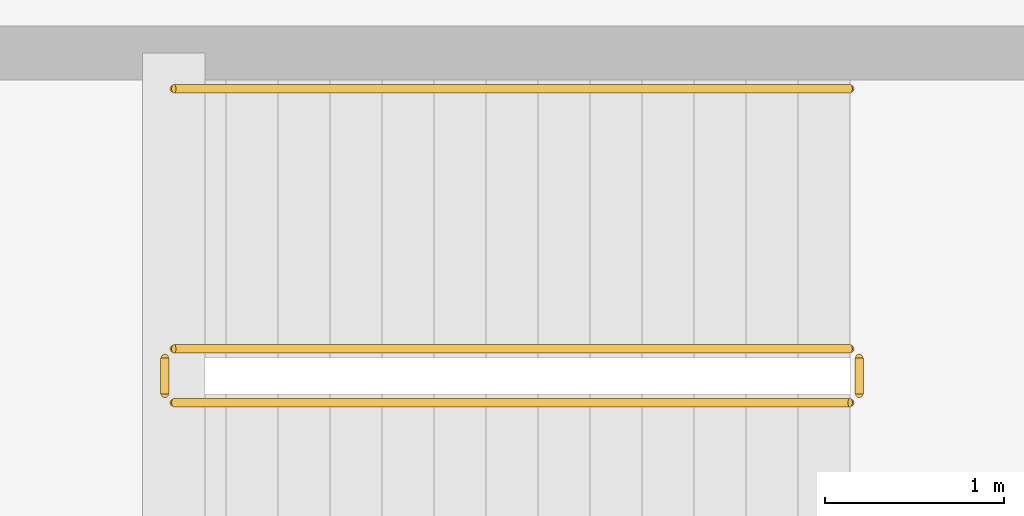
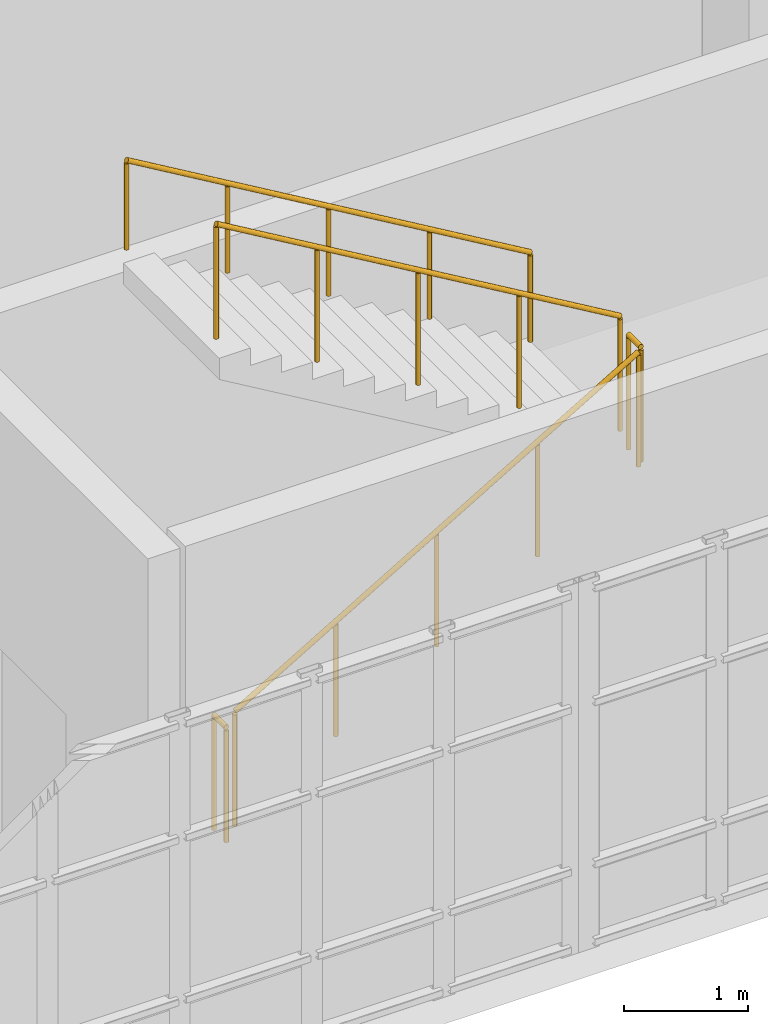
# One storey, part 104 of 106: 5 railings.
"""IFC4 building model written with IfcOpenShell, lengths in metres."""

from ifc_helpers import new_model, si_unit, direction, frame, origin, origin_2d, place, context, subcontext, project, spatial, circle, extrude, material, type_object, element, save


model = new_model("IFC4")

# Units and contexts
model_context = context("Model", 3, precision=1e-05, world=origin(), true_north=direction((0.0, 1.0)))
body_context = subcontext(model_context, "Body", "Model", "MODEL_VIEW")
ifc_project = project(units=[si_unit("LENGTHUNIT", "METRE"), si_unit("AREAUNIT", "SQUARE_METRE"), si_unit("VOLUMEUNIT", "CUBIC_METRE"), si_unit("PLANEANGLEUNIT", "RADIAN"), si_unit("MASSUNIT", "GRAM", prefix="KILO")], contexts=[model_context])

# Site, building, storey
site_placement = place(None, origin())
site = spatial("IfcSite", under=ifc_project, at=site_placement, CompositionType="ELEMENT")
building_placement = place(site_placement, origin())
building = spatial("IfcBuilding", under=site, at=building_placement, Name="Kisaragi Civic Commons", CompositionType="ELEMENT")
storey_placement = place(building_placement, frame((0.0, 0.0, 4.800048828125)))
storey = spatial("IfcBuildingStorey", under=building, at=storey_placement, Name="L01", CompositionType="ELEMENT", Elevation=4.800048828125)

# Railings
ifc_material = material(Name="Powder-coated architectural steel and hinoki cap rail", Category="steel")
railing_type_1 = type_object("IfcRailingType", Name="GRD-S1", PredefinedType="GUARDRAIL", material=ifc_material)
railing_1_placement = place(storey_placement, frame((164.550048828125, 2.699951171875, 0.17138671875)))
element("IfcRailing", 1, at=railing_1_placement, inside=storey, type_object=railing_type_1, Name="L01 ST-D2 stair guard 1", PredefinedType="GUARDRAIL", context=body_context, shape_type="SweptSolid", body=[
    extrude(circle(Radius=0.02392578125, at=origin_2d()), frame((0.0, 0.0, 1.1259765625), z_axis=(0.860848830602, 0.0, 0.508860777473), x_axis=(0.0, 1.0, 0.0)), (0.0, 0.0, 1.0), 4.37939453125),
    extrude(circle(Radius=0.02099609375, at=origin_2d()), origin(), (0.0, 0.0, 1.0), 1.101806640625),
    extrude(circle(Radius=0.02099609375, at=origin_2d()), frame((0.9423828125, 0.0, 0.55712890625)), (0.0, 0.0, 1.0), 1.101806640625),
    extrude(circle(Radius=0.02099609375, at=origin_2d()), frame((1.885009765625, 0.0, 1.1142578125)), (0.0, 0.0, 1.0), 1.101806640625),
    extrude(circle(Radius=0.02099609375, at=origin_2d()), frame((2.82763671875, 0.0, 1.67138671875)), (0.0, 0.0, 1.0), 1.101806640625),
    extrude(circle(Radius=0.02099609375, at=origin_2d()), frame((3.77001953125, 0.0, 2.228515625)), (0.0, 0.0, 1.0), 1.101806640625),
])
railing_2_placement = place(storey_placement, frame((168.3701171875, 2.75, 2.39990234375)))
element("IfcRailing", 2, at=railing_2_placement, inside=storey, type_object=railing_type_1, Name="L01 ST-D2 stair guard 2", PredefinedType="GUARDRAIL", context=body_context, shape_type="SweptSolid", body=[
    extrude(circle(Radius=0.02392578125, at=origin_2d()), frame((0.0, 0.0, 1.1259765625), z_axis=(0.0, 1.0, 0.0), x_axis=(-1.0, 0.0, 0.0)), (0.0, 0.0, 1.0), 0.199951171875),
    extrude(circle(Radius=0.02099609375, at=origin_2d()), origin(), (0.0, 0.0, 1.0), 1.101806640625),
    extrude(circle(Radius=0.02099609375, at=origin_2d()), frame((0.0, 0.199951171875, 0.0)), (0.0, 0.0, 1.0), 1.101806640625),
])
railing_3_placement = place(storey_placement, frame((168.320068359375, 3.0, 2.5712890625)))
element("IfcRailing", 3, at=railing_3_placement, inside=storey, type_object=railing_type_1, Name="L01 ST-D2 stair guard 3", PredefinedType="GUARDRAIL", context=body_context, shape_type="SweptSolid", body=[
    extrude(circle(Radius=0.02392578125, at=origin_2d()), frame((0.0, 0.0, 1.1259765625), z_axis=(-0.860824410104, 0.0, 0.508902087802), x_axis=(0.0, -1.0, 0.0)), (0.0, 0.0, 1.0), 4.379638671875),
    extrude(circle(Radius=0.02099609375, at=origin_2d()), origin(), (0.0, 0.0, 1.0), 1.101806640625),
    extrude(circle(Radius=0.02099609375, at=origin_2d()), frame((-0.9423828125, 0.0, 0.55712890625)), (0.0, 0.0, 1.0), 1.101806640625),
    extrude(circle(Radius=0.02099609375, at=origin_2d()), frame((-1.885009765625, 0.0, 1.1142578125)), (0.0, 0.0, 1.0), 1.101806640625),
    extrude(circle(Radius=0.02099609375, at=origin_2d()), frame((-2.82763671875, 0.0, 1.671630859375)), (0.0, 0.0, 1.0), 1.101806640625),
    extrude(circle(Radius=0.02099609375, at=origin_2d()), frame((-3.77001953125, 0.0, 2.228759765625)), (0.0, 0.0, 1.0), 1.101806640625),
])
railing_4_placement = place(storey_placement, frame((164.5, 2.75, 0.0)))
element("IfcRailing", 4, at=railing_4_placement, inside=storey, type_object=railing_type_1, Name="L01 ST-D2 stair guard 4", PredefinedType="GUARDRAIL", context=body_context, shape_type="SweptSolid", body=[
    extrude(circle(Radius=0.02392578125, at=origin_2d()), frame((0.0, 0.0, 1.1259765625), z_axis=(0.0, 1.0, 0.0), x_axis=(-1.0, 0.0, 0.0)), (0.0, 0.0, 1.0), 0.199951171875),
    extrude(circle(Radius=0.02099609375, at=origin_2d()), origin(), (0.0, 0.0, 1.0), 1.101806640625),
    extrude(circle(Radius=0.02099609375, at=origin_2d()), frame((0.0, 0.199951171875, 0.0)), (0.0, 0.0, 1.0), 1.101806640625),
])
railing_type_2 = type_object("IfcRailingType", Name="HRL-01", PredefinedType="HANDRAIL", material=ifc_material)
railing_5_placement = place(storey_placement, frame((168.320068359375, 4.449951171875, 2.5712890625)))
element("IfcRailing", 5, at=railing_5_placement, inside=storey, type_object=railing_type_2, Name="L01 ST-D2 stair handrail 2", PredefinedType="HANDRAIL", context=body_context, shape_type="SweptSolid", body=[
    extrude(circle(Radius=0.02392578125, at=origin_2d()), frame((0.0, 0.0, 0.8759765625), z_axis=(-0.860824410104, 0.0, 0.508902087802), x_axis=(0.0, -1.0, 0.0)), (0.0, 0.0, 1.0), 4.379638671875),
    extrude(circle(Radius=0.02099609375, at=origin_2d()), origin(), (0.0, 0.0, 1.0), 0.851806640625),
    extrude(circle(Radius=0.02099609375, at=origin_2d()), frame((-0.9423828125, 0.0, 0.55712890625)), (0.0, 0.0, 1.0), 0.851806640625),
    extrude(circle(Radius=0.02099609375, at=origin_2d()), frame((-1.885009765625, 0.0, 1.1142578125)), (0.0, 0.0, 1.0), 0.851806640625),
    extrude(circle(Radius=0.02099609375, at=origin_2d()), frame((-2.82763671875, 0.0, 1.671630859375)), (0.0, 0.0, 1.0), 0.851806640625),
    extrude(circle(Radius=0.02099609375, at=origin_2d()), frame((-3.77001953125, 0.0, 2.228759765625)), (0.0, 0.0, 1.0), 0.851806640625),
])

save(model, "model.ifc")
